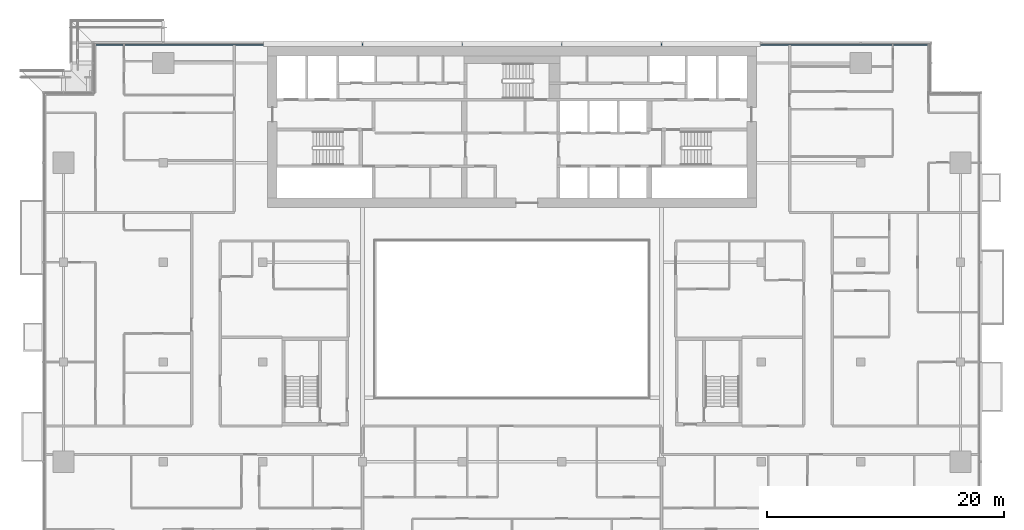
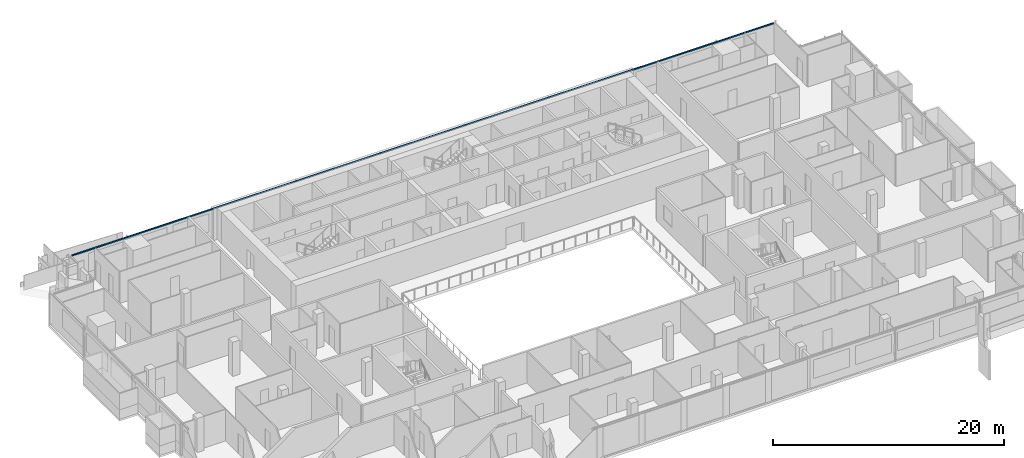
# One storey, part 9 of 30: 1 member, 1 element without a shape of its own.
"""IFC4 building model written with IfcOpenShell, lengths in metres."""

from ifc_helpers import new_model, si_unit, direction, frame, origin, origin_2d, place, context, subcontext, project, spatial, rectangle, extrude, material, material_profile, profile_set, type_object, element, aggregate, save


model = new_model("IFC4")

# Units and contexts
model_context = context("Model", 3, precision=1e-05, world=origin(), true_north=direction((0.0, 1.0)))
body_context = subcontext(model_context, "Body", "Model", "MODEL_VIEW")
ifc_project = project(units=[si_unit("LENGTHUNIT", "METRE"), si_unit("AREAUNIT", "SQUARE_METRE"), si_unit("VOLUMEUNIT", "CUBIC_METRE"), si_unit("PLANEANGLEUNIT", "RADIAN"), si_unit("MASSUNIT", "GRAM", prefix="KILO")], contexts=[model_context])

# Site, building, storey
site_placement = place(None, origin())
site = spatial("IfcSite", under=ifc_project, at=site_placement, CompositionType="ELEMENT")
building_placement = place(site_placement, origin())
building = spatial("IfcBuilding", under=site, at=building_placement, Name="Saffron Gate Tower", CompositionType="ELEMENT")
storey_placement = place(building_placement, frame((0.0, 0.0, 158.25)))
storey = spatial("IfcBuildingStorey", under=building, at=storey_placement, Name="L38", CompositionType="ELEMENT", Elevation=158.25)

# Curtain wall, member
ifc_material = material(Name="Aluminium, bronze anodised", Category="aluminium")
curtain_wall_type = type_object("IfcCurtainWallType", Name="CWS3 curtain wall rear facade", PredefinedType="NOTDEFINED", material=ifc_material)
curtain_wall_placement = place(storey_placement, origin())
curtain_wall = element("IfcCurtainWall", 1, at=curtain_wall_placement, inside=storey, type_object=curtain_wall_type, Name="CWS3 run 7", PredefinedType="NOTDEFINED")
ifc_material_profile = material_profile(ifc_material, rectangle(XDim=0.1201171875, YDim=0.1201171875, at=origin_2d()))
ifc_profile_set = profile_set([ifc_material_profile], Name="Aluminium, bronze anodised")
member_type = type_object("IfcMemberType", Name="CWS3 head transom", PredefinedType="USERDEFINED", material=ifc_profile_set)
member_placement = place(storey_placement, frame((122.632080078125, 75.35205078125, 3.260009765625), z_axis=(-1.0, 0.0, 0.0), x_axis=(0.0, -1.0, 0.0)))
member = element("IfcMember", 2, at=member_placement, type_object=member_type, Name="CWS3 head transom", ObjectType="TRANSOM", PredefinedType="USERDEFINED", context=body_context, shape_type="SweptSolid", body=[
    extrude(rectangle(XDim=0.1201171875, YDim=0.1201171875, at=origin_2d()), origin(), (0.0, 0.0, 1.0), 70.06396484375),
])
aggregate(curtain_wall, [member])

save(model, "model.ifc")
